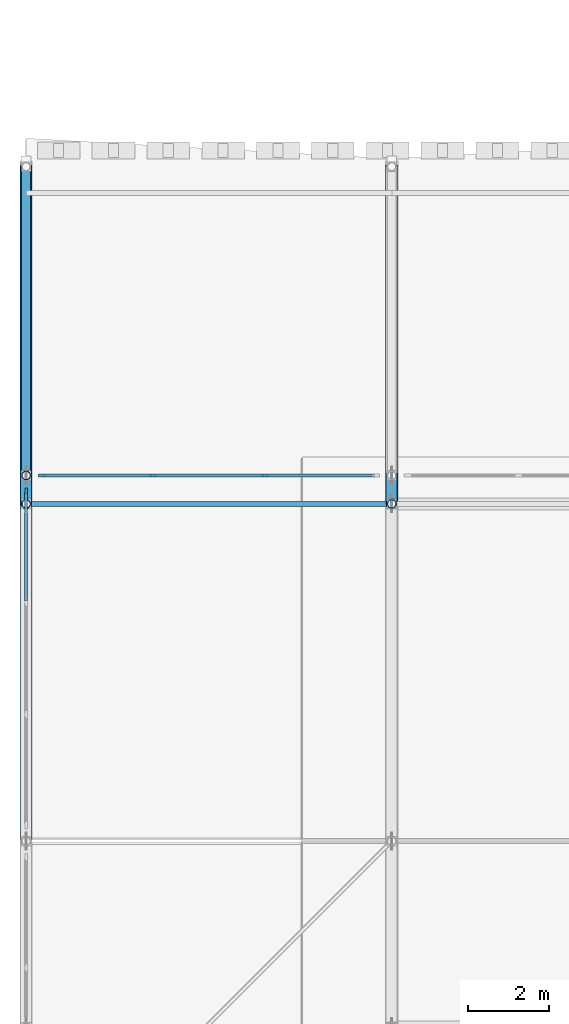
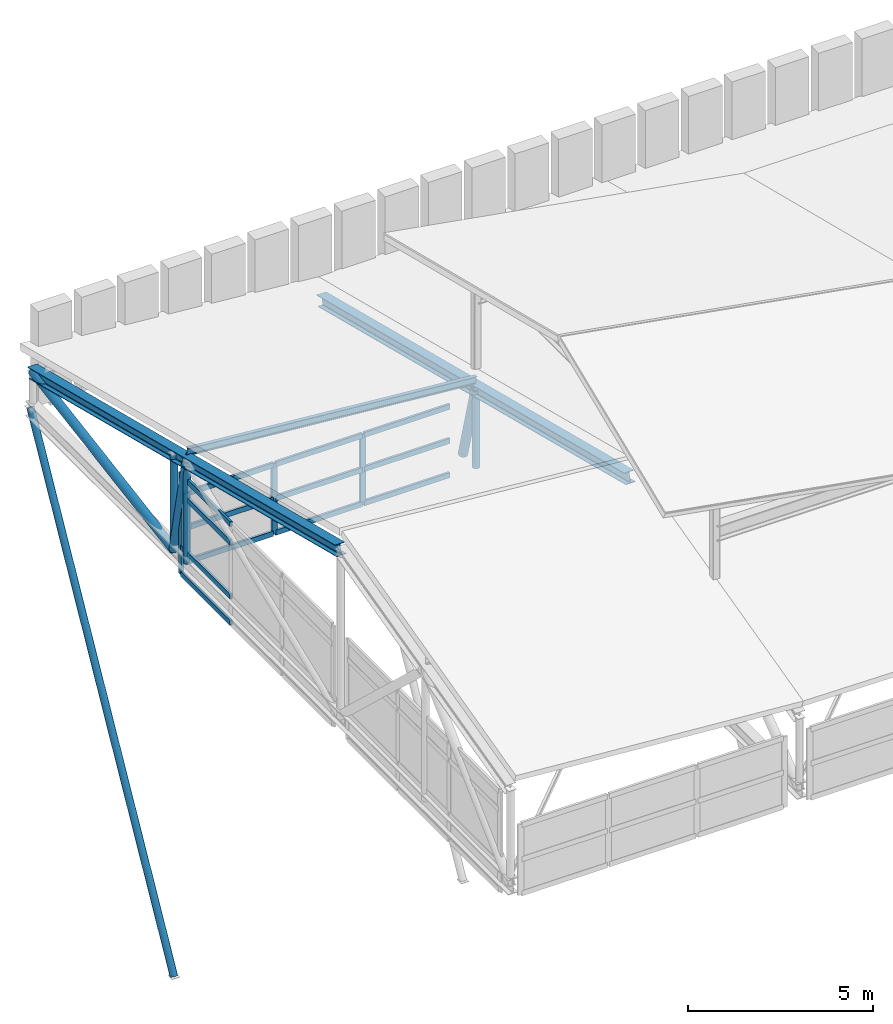
# One storey, part 6 of 42: 27 members, 2 elements without a shape of their own.
"""IFC4 building model written with IfcOpenShell, lengths in metres."""

import ifcopenshell
import ifcopenshell.guid

model = None  # the IFC model being written
_history = None  # IfcOwnerHistory: only IFC2X3 demands one
_inside = {}  # id of a spatial element -> (the spatial element, [elements in it])
_under = {}  # id of a project, library or spatial element -> (it, [spatial elements below it])
_declared = {}  # id of a project -> (the project, [libraries it declares])
_typed = {}  # id of a type object -> (the type object, [elements of that type])
_made_of = {}  # id of a material, layer set ... -> (it, [elements and type objects made of it])


def new_model(schema):
    """Start an empty IFC model of exactly this schema.

    Asked for "IFC4X3", IfcOpenShell would pick the latest addendum, in which some entities
    have other attributes; the version numbers below select the first issue.
    IFC2X3 requires an IfcOwnerHistory on every rooted entity: one is made here for all.
    """
    global model, _history
    if schema == "IFC4X3":
        model = ifcopenshell.file(schema_version=(4, 3, 0, 0))
    else:
        model = ifcopenshell.file(schema=schema)
    _inside.clear()
    _under.clear()
    _declared.clear()
    _typed.clear()
    _made_of.clear()
    _history = None
    if model.schema == "IFC2X3":
        org = make("IfcOrganization", Name="unknown")
        user = make(
            "IfcPersonAndOrganization",
            ThePerson=make("IfcPerson", FamilyName="unknown"),
            TheOrganization=org,
        )
        app = make(
            "IfcApplication",
            ApplicationDeveloper=org,
            Version="unknown",
            ApplicationFullName="unknown",
            ApplicationIdentifier="unknown",
        )
        _history = make(
            "IfcOwnerHistory",
            OwningUser=user,
            OwningApplication=app,
            ChangeAction="ADDED",
            CreationDate=0,
        )
    return model


def make(cls, **values):
    """One entity of the class cls with the attributes given. An attribute that is None is left unset."""
    return model.create_entity(
        cls, **{name: value for name, value in values.items() if value is not None}
    )


def rooted(cls, **values):
    """An entity with a GlobalId (a new one), such as an element, a storey or a relation."""
    return make(cls, GlobalId=ifcopenshell.guid.new(), OwnerHistory=_history, **values)


def si_unit(unit_type, name, prefix=None):
    """IfcSIUnit, for example si_unit("LENGTHUNIT", "METRE", prefix="MILLI")."""
    return make("IfcSIUnit", UnitType=unit_type, Prefix=prefix, Name=name)


def assignment(units):
    """IfcUnitAssignment: the units of a project."""
    return None if units is None else make("IfcUnitAssignment", Units=units)


def point(xyz):
    """IfcCartesianPoint."""
    return None if xyz is None else make("IfcCartesianPoint", Coordinates=xyz)


def direction(xyz):
    """IfcDirection."""
    return None if xyz is None else make("IfcDirection", DirectionRatios=xyz)


def frame(location, z_axis=None, x_axis=None):
    """IfcAxis2Placement3D, a coordinate frame: its origin and axes. An axis left out is left unset."""
    return make(
        "IfcAxis2Placement3D",
        Location=point(location),
        Axis=direction(z_axis),
        RefDirection=direction(x_axis),
    )


def frame_2d(location, x_axis=None):
    """IfcAxis2Placement2D, a coordinate frame in the plane: its origin and x axis."""
    return make(
        "IfcAxis2Placement2D", Location=point(location), RefDirection=direction(x_axis)
    )


def origin():
    """The frame at (0, 0, 0) with its axes left unset."""
    return frame((0.0, 0.0, 0.0))


def origin_2d():
    """The frame at (0, 0) in the plane with its x axis left unset."""
    return frame_2d((0.0, 0.0))


def place(relative_to, where):
    """IfcLocalPlacement: puts the frame where relative to a parent placement (None: the world)."""
    return make(
        "IfcLocalPlacement", PlacementRelTo=relative_to, RelativePlacement=where
    )


def context(
    kind, dimensions, precision=None, world=None, true_north=None, identifier=None
):
    """IfcGeometricRepresentationContext, for example the 3D "Model" context."""
    return make(
        "IfcGeometricRepresentationContext",
        ContextIdentifier=identifier,
        ContextType=kind,
        CoordinateSpaceDimension=dimensions,
        Precision=precision,
        WorldCoordinateSystem=world,
        TrueNorth=true_north,
    )


def subcontext(parent, identifier, kind, view, scale=None):
    """IfcGeometricRepresentationSubContext, for example "Body" below "Model"."""
    return make(
        "IfcGeometricRepresentationSubContext",
        ContextIdentifier=identifier,
        ContextType=kind,
        ParentContext=parent,
        TargetScale=scale,
        TargetView=view,
    )


def project(units=None, contexts=None):
    """IfcProject with its units and contexts."""
    return rooted(
        "IfcProject",
        Name="project",
        RepresentationContexts=contexts,
        UnitsInContext=assignment(units),
    )


def spatial(cls, under=None, at=None, **own):
    """A site, building, storey or space (cls), placed at a placement, below another one or the project."""
    s = rooted(cls, ObjectPlacement=at, **own)
    if under is not None:
        _under.setdefault(under.id(), (under, []))[1].append(s)
    return s


def profile(cls, at=None, kind="AREA", **sizes):
    """A parametric profile (cls). Its sizes go by their IFC names, for example OverallWidth=200.0."""
    return make(cls, ProfileType=kind, Position=at, **sizes)


def rectangle(**sizes):
    """IfcRectangleProfileDef."""
    return profile("IfcRectangleProfileDef", **sizes)


def hollow_circle(**sizes):
    """IfcCircleHollowProfileDef."""
    return profile("IfcCircleHollowProfileDef", **sizes)


def i_section(**sizes):
    """IfcIShapeProfileDef."""
    return profile("IfcIShapeProfileDef", **sizes)


def extrude(swept, where, along, depth):
    """IfcExtrudedAreaSolid: the profile swept, set in the frame where, extruded along a direction by depth."""
    return make(
        "IfcExtrudedAreaSolid",
        SweptArea=swept,
        Position=where,
        ExtrudedDirection=direction(along),
        Depth=depth,
    )


def shape(context_of_items, identifier, shape_type, items):
    """IfcShapeRepresentation: the items that make up one representation, for example the "Body"."""
    return make(
        "IfcShapeRepresentation",
        ContextOfItems=context_of_items,
        RepresentationIdentifier=identifier,
        RepresentationType=shape_type,
        Items=items,
    )


def material(Name=None, Category=None):
    """IfcMaterial."""
    return make("IfcMaterial", Name=Name, Category=Category)


def material_profile(
    of_material, cross_section, Name=None, Category=None, Priority=None
):
    """IfcMaterialProfile: a cross section and its material."""
    return make(
        "IfcMaterialProfile",
        Name=Name,
        Material=of_material,
        Profile=cross_section,
        Priority=Priority,
        Category=Category,
    )


def profile_set(profiles, Name=None, composite=None):
    """IfcMaterialProfileSet."""
    return make(
        "IfcMaterialProfileSet",
        Name=Name,
        MaterialProfiles=profiles,
        CompositeProfile=composite,
    )


def made_of(thing, what):
    """Note that an element or type object is made of a material, layer set ...; save() writes the relation."""
    if what is not None:
        _made_of.setdefault(what.id(), (what, []))[1].append(thing)
    return thing


def type_object(cls, material=None, **own):
    """A type object (cls), such as IfcWallType, which elements share."""
    return made_of(rooted(cls, **own), material)


def element(
    cls,
    number,
    at=None,
    inside=None,
    cuts=None,
    type_object=None,
    material=None,
    context=None,
    identifier="Body",
    shape_type=None,
    held_by="IfcProductDefinitionShape",
    body=None,
    shapes=None,
    **own,
):
    """One element of the class cls, such as IfcWall. Its Tag is "e" and its number.

    at: its placement. inside: the storey or other place that contains it. cuts: it is an
    opening in that element (IfcRelVoidsElement). A single representation is given by context,
    identifier, shape_type and body (its items); several are given by shapes. held_by: the class
    of the entity that holds the representations. save() writes the other relations.
    """
    e = rooted(cls, Tag="e%d" % number, ObjectPlacement=at, **own)
    if body is not None:
        shapes = [shape(context, identifier, shape_type, body)]
    if shapes is not None:
        e.Representation = make(held_by, Representations=shapes)
    if inside is not None:
        _inside.setdefault(inside.id(), (inside, []))[1].append(e)
    if cuts is not None:
        rooted(
            "IfcRelVoidsElement", RelatingBuildingElement=cuts, RelatedOpeningElement=e
        )
    if type_object is not None:
        _typed.setdefault(type_object.id(), (type_object, []))[1].append(e)
    return made_of(e, material)


def aggregate(whole, parts):
    """IfcRelAggregates: a whole, such as a stair, and the parts it consists of."""
    return rooted("IfcRelAggregates", RelatingObject=whole, RelatedObjects=parts)


def save(model, path):
    """Write the relations noted so far, then the file.

    IfcRelAggregates (storeys below a building ...), IfcRelContainedInSpatialStructure (elements
    in a storey), IfcRelDefinesByType, IfcRelAssociatesMaterial and IfcRelDeclares: one each for
    every whole, place, type object, material and project.
    """
    for whole, parts in _under.values():
        aggregate(whole, parts)
    for where, things in _inside.values():
        rooted(
            "IfcRelContainedInSpatialStructure",
            RelatedElements=things,
            RelatingStructure=where,
        )
    for kind, things in _typed.values():
        rooted("IfcRelDefinesByType", RelatedObjects=things, RelatingType=kind)
    for what, things in _made_of.values():
        rooted("IfcRelAssociatesMaterial", RelatedObjects=things, RelatingMaterial=what)
    for by, libraries in _declared.values():
        rooted("IfcRelDeclares", RelatingContext=by, RelatedDefinitions=libraries)
    model.write(path)


model = new_model("IFC4")

# Units and contexts
model_context = context("Model", 3, precision=1e-05, world=origin(), true_north=direction((0.0, 1.0)))
body_context = subcontext(model_context, "Body", "Model", "MODEL_VIEW")
ifc_project = project(units=[si_unit("LENGTHUNIT", "METRE"), si_unit("AREAUNIT", "SQUARE_METRE"), si_unit("VOLUMEUNIT", "CUBIC_METRE"), si_unit("PLANEANGLEUNIT", "RADIAN"), si_unit("MASSUNIT", "GRAM", prefix="KILO")], contexts=[model_context])

# Site, building, storey
site_placement = place(None, origin())
site = spatial("IfcSite", under=ifc_project, at=site_placement, CompositionType="ELEMENT")
building_placement = place(site_placement, origin())
building = spatial("IfcBuilding", under=site, at=building_placement, Name="Bozkorgan Art Gallery", CompositionType="ELEMENT")
storey_placement = place(building_placement, frame((0.0, 0.0, 28.800048828125)))
storey = spatial("IfcBuildingStorey", under=building, at=storey_placement, Name="RF", CompositionType="ELEMENT", Elevation=28.800048828125)

# Curtain wall, members
ifc_material_1 = material(Name="Anodised Bronze Aluminium", Category="aluminium")
curtain_wall_type_1 = type_object("IfcCurtainWallType", Name="CW-CW-28", PredefinedType="NOTDEFINED", material=ifc_material_1)
curtain_wall_1_placement = place(storey_placement, origin())
curtain_wall_1 = element("IfcCurtainWall", 1, at=curtain_wall_1_placement, inside=storey, type_object=curtain_wall_type_1, Name="RF unitised curtain wall CW-RF-V1-N-2", PredefinedType="NOTDEFINED")
ifc_material_profile_1 = material_profile(ifc_material_1, rectangle(XDim=0.06494140625, YDim=0.179931640625, at=origin_2d()), Name="ALU MULLION 65x180")
ifc_profile_set_1 = profile_set([ifc_material_profile_1], Name="Anodised Bronze Aluminium")
member_type_1 = type_object("IfcMemberType", Name="CWM-01", PredefinedType="MULLION", material=ifc_profile_set_1)
member_1_placement = place(storey_placement, frame((2.392578125, 20.0, -0.324951171875), z_axis=(0.0, 0.0, 1.0), x_axis=(0.0, 1.0, 0.0)))
member_1 = element("IfcMember", 2, at=member_1_placement, type_object=member_type_1, Name="CW-28 mullion 1", PredefinedType="MULLION", context=body_context, shape_type="SweptSolid", body=[
    extrude(rectangle(XDim=0.06494140625, YDim=0.179931640625, at=origin_2d()), origin(), (0.0, 0.0, 1.0), 2.324951171875),
])
member_2_placement = place(storey_placement, frame((5.1201171875, 20.0, -0.324951171875), z_axis=(0.0, 0.0, 1.0), x_axis=(0.0, 1.0, 0.0)))
member_2 = element("IfcMember", 3, at=member_2_placement, type_object=member_type_1, Name="CW-28 mullion 2", PredefinedType="MULLION", context=body_context, shape_type="SweptSolid", body=[
    extrude(rectangle(XDim=0.06494140625, YDim=0.179931640625, at=origin_2d()), origin(), (0.0, 0.0, 1.0), 2.324951171875),
])
member_3_placement = place(storey_placement, frame((7.8798828125, 20.0, -0.324951171875), z_axis=(0.0, 0.0, 1.0), x_axis=(0.0, 1.0, 0.0)))
member_3 = element("IfcMember", 4, at=member_3_placement, type_object=member_type_1, Name="CW-28 mullion 3", PredefinedType="MULLION", context=body_context, shape_type="SweptSolid", body=[
    extrude(rectangle(XDim=0.06494140625, YDim=0.179931640625, at=origin_2d()), origin(), (0.0, 0.0, 1.0), 2.324951171875),
])

# Curtain wall, member
curtain_wall_type_2 = type_object("IfcCurtainWallType", Name="CW-CW-62", PredefinedType="NOTDEFINED", material=ifc_material_1)
curtain_wall_2_placement = place(storey_placement, origin())
curtain_wall_2 = element("IfcCurtainWall", 5, at=curtain_wall_2_placement, inside=storey, type_object=curtain_wall_type_2, Name="RF unitised curtain wall CW-RF-V1-W-11", PredefinedType="NOTDEFINED")
member_4_placement = place(storey_placement, frame((2.0, 19.607421875, -0.324951171875), z_axis=(0.0, 0.0, 1.0), x_axis=(-1.0, 0.0, 0.0)))
member_4 = element("IfcMember", 6, at=member_4_placement, type_object=member_type_1, Name="CW-62 mullion 4", PredefinedType="MULLION", context=body_context, shape_type="SweptSolid", body=[
    extrude(rectangle(XDim=0.06494140625, YDim=0.179931640625, at=origin_2d()), origin(), (0.0, 0.0, 1.0), 3.324951171875),
])

# Member
ifc_material_profile_2 = material_profile(ifc_material_1, rectangle(XDim=0.074951171875, YDim=0.169921875, at=origin_2d()), Name="ALU TRANSOM 75x170")
ifc_profile_set_2 = profile_set([ifc_material_profile_2], Name="Anodised Bronze Aluminium")
member_type_2 = type_object("IfcMemberType", Name="CWT-02", PredefinedType="USERDEFINED", material=ifc_profile_set_2)
member_5_placement = place(storey_placement, frame((2.425048828125, 20.0, -0.28759765625), z_axis=(1.0, 0.0, 0.0), x_axis=(0.0, 1.0, 0.0)))
member_5 = element("IfcMember", 7, at=member_5_placement, type_object=member_type_2, Name="CW-28 transom 1.1", ObjectType="TRANSOM", PredefinedType="USERDEFINED", context=body_context, shape_type="SweptSolid", body=[
    extrude(rectangle(XDim=0.074951171875, YDim=0.169921875, at=origin_2d()), origin(), (0.0, 0.0, 1.0), 2.662353515625),
])

member_6_placement = place(storey_placement, frame((2.425048828125, 20.0, 0.837890625), z_axis=(1.0, 0.0, 0.0), x_axis=(0.0, 1.0, 0.0)))
member_6 = element("IfcMember", 8, at=member_6_placement, type_object=member_type_2, Name="CW-28 transom 1.2", ObjectType="TRANSOM", PredefinedType="USERDEFINED", context=body_context, shape_type="SweptSolid", body=[
    extrude(rectangle(XDim=0.074951171875, YDim=0.169921875, at=origin_2d()), origin(), (0.0, 0.0, 1.0), 2.662353515625),
])

member_7_placement = place(storey_placement, frame((2.425048828125, 20.0, 1.96240234375), z_axis=(1.0, 0.0, 0.0), x_axis=(0.0, 1.0, 0.0)))
member_7 = element("IfcMember", 9, at=member_7_placement, type_object=member_type_2, Name="CW-28 transom 1.3", ObjectType="TRANSOM", PredefinedType="USERDEFINED", context=body_context, shape_type="SweptSolid", body=[
    extrude(rectangle(XDim=0.074951171875, YDim=0.169921875, at=origin_2d()), origin(), (0.0, 0.0, 1.0), 2.662353515625),
])

member_8_placement = place(storey_placement, frame((5.152587890625, 20.0, -0.28759765625), z_axis=(1.0, 0.0, 0.0), x_axis=(0.0, 1.0, 0.0)))
member_8 = element("IfcMember", 10, at=member_8_placement, type_object=member_type_2, Name="CW-28 transom 2.1", ObjectType="TRANSOM", PredefinedType="USERDEFINED", context=body_context, shape_type="SweptSolid", body=[
    extrude(rectangle(XDim=0.074951171875, YDim=0.169921875, at=origin_2d()), origin(), (0.0, 0.0, 1.0), 2.69482421875),
])

member_9_placement = place(storey_placement, frame((5.152587890625, 20.0, 0.837890625), z_axis=(1.0, 0.0, 0.0), x_axis=(0.0, 1.0, 0.0)))
member_9 = element("IfcMember", 11, at=member_9_placement, type_object=member_type_2, Name="CW-28 transom 2.2", ObjectType="TRANSOM", PredefinedType="USERDEFINED", context=body_context, shape_type="SweptSolid", body=[
    extrude(rectangle(XDim=0.074951171875, YDim=0.169921875, at=origin_2d()), origin(), (0.0, 0.0, 1.0), 2.69482421875),
])

member_10_placement = place(storey_placement, frame((5.152587890625, 20.0, 1.96240234375), z_axis=(1.0, 0.0, 0.0), x_axis=(0.0, 1.0, 0.0)))
member_10 = element("IfcMember", 12, at=member_10_placement, type_object=member_type_2, Name="CW-28 transom 2.3", ObjectType="TRANSOM", PredefinedType="USERDEFINED", context=body_context, shape_type="SweptSolid", body=[
    extrude(rectangle(XDim=0.074951171875, YDim=0.169921875, at=origin_2d()), origin(), (0.0, 0.0, 1.0), 2.69482421875),
])

member_11_placement = place(storey_placement, frame((7.91259765625, 20.0, -0.28759765625), z_axis=(1.0, 0.0, 0.0), x_axis=(0.0, 1.0, 0.0)))
member_11 = element("IfcMember", 13, at=member_11_placement, type_object=member_type_2, Name="CW-28 transom 3.1", ObjectType="TRANSOM", PredefinedType="USERDEFINED", context=body_context, shape_type="SweptSolid", body=[
    extrude(rectangle(XDim=0.074951171875, YDim=0.169921875, at=origin_2d()), origin(), (0.0, 0.0, 1.0), 2.662353515625),
])

member_12_placement = place(storey_placement, frame((7.91259765625, 20.0, 0.837890625), z_axis=(1.0, 0.0, 0.0), x_axis=(0.0, 1.0, 0.0)))
member_12 = element("IfcMember", 14, at=member_12_placement, type_object=member_type_2, Name="CW-28 transom 3.2", ObjectType="TRANSOM", PredefinedType="USERDEFINED", context=body_context, shape_type="SweptSolid", body=[
    extrude(rectangle(XDim=0.074951171875, YDim=0.169921875, at=origin_2d()), origin(), (0.0, 0.0, 1.0), 2.662353515625),
])

member_13_placement = place(storey_placement, frame((7.91259765625, 20.0, 1.96240234375), z_axis=(1.0, 0.0, 0.0), x_axis=(0.0, 1.0, 0.0)))
member_13 = element("IfcMember", 15, at=member_13_placement, type_object=member_type_2, Name="CW-28 transom 3.3", ObjectType="TRANSOM", PredefinedType="USERDEFINED", context=body_context, shape_type="SweptSolid", body=[
    extrude(rectangle(XDim=0.074951171875, YDim=0.169921875, at=origin_2d()), origin(), (0.0, 0.0, 1.0), 2.662353515625),
])

aggregate(curtain_wall_1, [member_1, member_2, member_3, member_5, member_6, member_7, member_8, member_9, member_10, member_11, member_12, member_13])

member_14_placement = place(storey_placement, frame((2.0, 16.91259765625, -0.28759765625), z_axis=(0.0, 1.0, 0.0), x_axis=(-1.0, 0.0, 0.0)))
member_14 = element("IfcMember", 16, at=member_14_placement, type_object=member_type_2, Name="CW-62 transom 3.1", ObjectType="TRANSOM", PredefinedType="USERDEFINED", context=body_context, shape_type="SweptSolid", body=[
    extrude(rectangle(XDim=0.074951171875, YDim=0.169921875, at=origin_2d()), origin(), (0.0, 0.0, 1.0), 2.662353515625),
])

member_15_placement = place(storey_placement, frame((2.0, 16.91259765625, 0.574951171875), z_axis=(0.0, 1.0, 0.0), x_axis=(-1.0, 0.0, 0.0)))
member_15 = element("IfcMember", 17, at=member_15_placement, type_object=member_type_2, Name="CW-62 transom 3.2", ObjectType="TRANSOM", PredefinedType="USERDEFINED", context=body_context, shape_type="SweptSolid", body=[
    extrude(rectangle(XDim=0.074951171875, YDim=0.169921875, at=origin_2d()), origin(), (0.0, 0.0, 1.0), 2.662353515625),
])

member_16_placement = place(storey_placement, frame((2.0, 16.91259765625, 2.349853515625), z_axis=(0.0, 1.0, 0.0), x_axis=(-1.0, 0.0, 0.0)))
member_16 = element("IfcMember", 18, at=member_16_placement, type_object=member_type_2, Name="CW-62 transom 3.3", ObjectType="TRANSOM", PredefinedType="USERDEFINED", context=body_context, shape_type="SweptSolid", body=[
    extrude(rectangle(XDim=0.074951171875, YDim=0.169921875, at=origin_2d()), origin(), (0.0, 0.0, 1.0), 2.662353515625),
])

member_17_placement = place(storey_placement, frame((2.0, 16.91259765625, 2.96240234375), z_axis=(0.0, 1.0, 0.0), x_axis=(-1.0, 0.0, 0.0)))
member_17 = element("IfcMember", 19, at=member_17_placement, type_object=member_type_2, Name="CW-62 transom 3.4", ObjectType="TRANSOM", PredefinedType="USERDEFINED", context=body_context, shape_type="SweptSolid", body=[
    extrude(rectangle(XDim=0.074951171875, YDim=0.169921875, at=origin_2d()), origin(), (0.0, 0.0, 1.0), 2.662353515625),
])

aggregate(curtain_wall_2, [member_4, member_14, member_15, member_16, member_17])

# Members
ifc_material_2 = material(Name="Steel S355J2", Category="steel")
ifc_material_profile_3 = material_profile(ifc_material_2, hollow_circle(Radius=0.109619140625, WallThickness=0.010009765625, at=origin_2d()), Name="CHS 219.1x10")
ifc_profile_set_3 = profile_set([ifc_material_profile_3], Name="Steel S355J2")
member_type_3 = type_object("IfcMemberType", Name="MEMBER-ES-44", PredefinedType="BRACE", material=ifc_profile_set_3)
member_18_placement = place(storey_placement, frame((2.0, 20.0, -13.800048828125), z_axis=(0.0, 0.48251516305, 0.875887616893), x_axis=(-1.0, 0.0, 0.0)))
element("IfcMember", 20, at=member_18_placement, inside=storey, type_object=member_type_3, Name="ROOF-V1-MAIN north swept-eave diagonal tree-strut 1", PredefinedType="BRACE", context=body_context, shape_type="SweptSolid", body=[
    extrude(hollow_circle(Radius=0.109619140625, WallThickness=0.010009765625, at=origin_2d()), origin(), (0.0, 0.0, 1.0), 16.041015625),
])
ifc_material_profile_4 = material_profile(ifc_material_2, i_section(OverallWidth=0.1201171875, OverallDepth=0.239990234375, WebThickness=0.006103515625, FlangeThickness=0.009765625, FilletRadius=0.014892578125, at=origin_2d()), Name="IPE 240")
ifc_profile_set_4 = profile_set([ifc_material_profile_4], Name="Steel S355J2")
member_type_4 = type_object("IfcMemberType", Name="MEMBER-PR-34", PredefinedType="PURLIN", material=ifc_profile_set_4)
member_19_placement = place(storey_placement, frame((2.0, 19.300048828125, 3.900634765625), z_axis=(0.996279126371, 0.0, -0.086185279243), x_axis=(0.0, 1.0, 0.0)))
element("IfcMember", 21, at=member_19_placement, inside=storey, type_object=member_type_4, Name="ROOF-V1-MAIN roof purlin 1N", PredefinedType="PURLIN", context=body_context, shape_type="SweptSolid", body=[
    extrude(i_section(OverallWidth=0.1201171875, OverallDepth=0.239990234375, WebThickness=0.006103515625, FlangeThickness=0.009765625, FilletRadius=0.014892578125, at=origin_2d()), origin(), (0.0, 0.0, 1.0), 9.03369140625),
])
ifc_material_profile_5 = material_profile(ifc_material_2, i_section(OverallWidth=0.300048828125, OverallDepth=0.35009765625, WebThickness=0.010009765625, FlangeThickness=0.017578125, FilletRadius=0.027099609375, at=origin_2d()), Name="HEA 360")
ifc_profile_set_5 = profile_set([ifc_material_profile_5], Name="Steel S355J2")
member_type_5 = type_object("IfcMemberType", Name="MEMBER-TC-31", PredefinedType="CHORD", material=ifc_profile_set_5)
for number, where, z_axis, x_axis, name in (
    (22, (2.0, 11.0, 5.7060546875), (0.0, 0.969445780618, -0.245305683671), (-1.0, 0.0, 0.0), "ROOF-V1-MAIN roof truss 1 north top chord"),
    (23, (11.0, 11.0, 4.92724609375), (0.0, 0.969442389879, -0.245319083452), (-1.0, 0.0, 0.0), "ROOF-V1-MAIN roof truss 2 north top chord"),
):
    element("IfcMember", number, at=place(storey_placement, frame(where, z_axis=z_axis, x_axis=x_axis)), inside=storey, type_object=member_type_5, Name=name, PredefinedType="CHORD", context=body_context, shape_type="SweptSolid", body=[
        extrude(i_section(OverallWidth=0.300048828125, OverallDepth=0.35009765625, WebThickness=0.010009765625, FlangeThickness=0.017578125, FilletRadius=0.027099609375, at=origin_2d()), origin(), (0.0, 0.0, 1.0), 17.123291015625),
    ])
ifc_material_profile_6 = material_profile(ifc_material_2, hollow_circle(Radius=0.109619140625, WallThickness=0.010009765625, at=origin_2d()), Name="CHS 219.1x10")
ifc_profile_set_6 = profile_set([ifc_material_profile_6], Name="Steel S355J2")
member_type_6 = type_object("IfcMemberType", Name="MEMBER-TP-78", PredefinedType="POST", material=ifc_profile_set_6)
member_20_placement = place(storey_placement, frame((2.0, 19.300048828125, 0.25), z_axis=(0.0, 0.0, 1.0), x_axis=(1.0, 0.0, 0.0)))
element("IfcMember", 24, at=member_20_placement, inside=storey, type_object=member_type_6, Name="ROOF-V1-MAIN roof truss 1 post 3", PredefinedType="POST", context=body_context, shape_type="SweptSolid", body=[
    extrude(hollow_circle(Radius=0.109619140625, WallThickness=0.010009765625, at=origin_2d()), origin(), (0.0, 0.0, 1.0), 3.355712890625),
])
member_21_placement = place(storey_placement, frame((2.0, 20.0, 0.25), z_axis=(0.0, 0.0, 1.0), x_axis=(1.0, 0.0, 0.0)))
element("IfcMember", 25, at=member_21_placement, inside=storey, type_object=member_type_6, Name="ROOF-V1-MAIN roof truss 1 post 4", PredefinedType="POST", context=body_context, shape_type="SweptSolid", body=[
    extrude(hollow_circle(Radius=0.109619140625, WallThickness=0.010009765625, at=origin_2d()), origin(), (0.0, 0.0, 1.0), 3.178466796875),
])
member_22_placement = place(storey_placement, frame((11.0, 19.300048828125, 0.25), z_axis=(0.0, 0.0, 1.0), x_axis=(1.0, 0.0, 0.0)))
element("IfcMember", 26, at=member_22_placement, inside=storey, type_object=member_type_6, Name="ROOF-V1-MAIN roof truss 2 post 3", PredefinedType="POST", context=body_context, shape_type="SweptSolid", body=[
    extrude(hollow_circle(Radius=0.109619140625, WallThickness=0.010009765625, at=origin_2d()), origin(), (0.0, 0.0, 1.0), 2.576904296875),
])
ifc_material_profile_7 = material_profile(ifc_material_2, hollow_circle(Radius=0.136474609375, WallThickness=0.012451171875, at=origin_2d()), Name="CHS 273x12.5")
ifc_profile_set_7 = profile_set([ifc_material_profile_7], Name="Steel S355J2")
member_type_7 = type_object("IfcMemberType", Name="MEMBER-TW-28", PredefinedType="BRACE", material=ifc_profile_set_7)
member_23_placement = place(storey_placement, frame((2.0, 19.300048828125, 3.605712890625), z_axis=(0.0, 0.204190308123, -0.978931212123), x_axis=(-1.0, 0.0, 0.0)))
element("IfcMember", 27, at=member_23_placement, inside=storey, type_object=member_type_7, Name="ROOF-V1-MAIN roof truss 1 diagonal 4", PredefinedType="BRACE", context=body_context, shape_type="SweptSolid", body=[
    extrude(hollow_circle(Radius=0.136474609375, WallThickness=0.012451171875, at=origin_2d()), origin(), (0.0, 0.0, 1.0), 3.427978515625),
])
member_24_placement = place(storey_placement, frame((2.0, 20.0, 0.25), z_axis=(0.0, 0.986625924991, 0.163000871578), x_axis=(-1.0, 0.0, 0.0)))
element("IfcMember", 28, at=member_24_placement, inside=storey, type_object=member_type_7, Name="ROOF-V1-MAIN roof truss 1 diagonal 5", PredefinedType="BRACE", context=body_context, shape_type="SweptSolid", body=[
    extrude(hollow_circle(Radius=0.136474609375, WallThickness=0.012451171875, at=origin_2d()), origin(), (0.0, 0.0, 1.0), 7.703125),
])
member_25_placement = place(storey_placement, frame((11.0, 19.300048828125, 2.826904296875), z_axis=(0.0, 0.262127020499, -0.965033380316), x_axis=(-1.0, 0.0, 0.0)))
element("IfcMember", 29, at=member_25_placement, inside=storey, type_object=member_type_7, Name="ROOF-V1-MAIN roof truss 2 diagonal 4", PredefinedType="BRACE", context=body_context, shape_type="SweptSolid", body=[
    extrude(hollow_circle(Radius=0.136474609375, WallThickness=0.012451171875, at=origin_2d()), origin(), (0.0, 0.0, 1.0), 2.670166015625),
])

save(model, "model.ifc")
